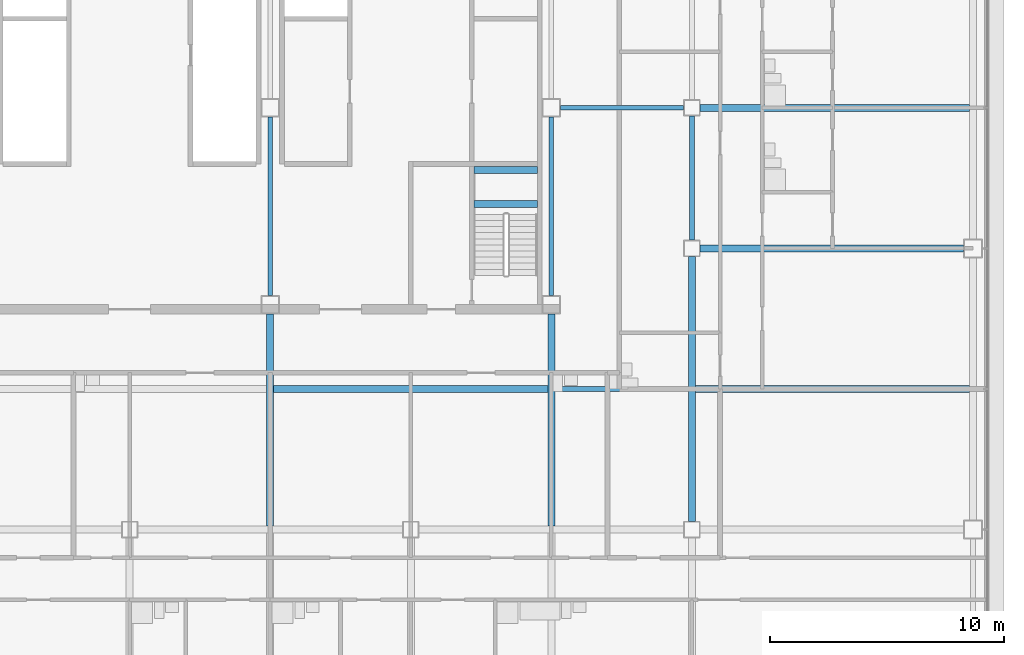
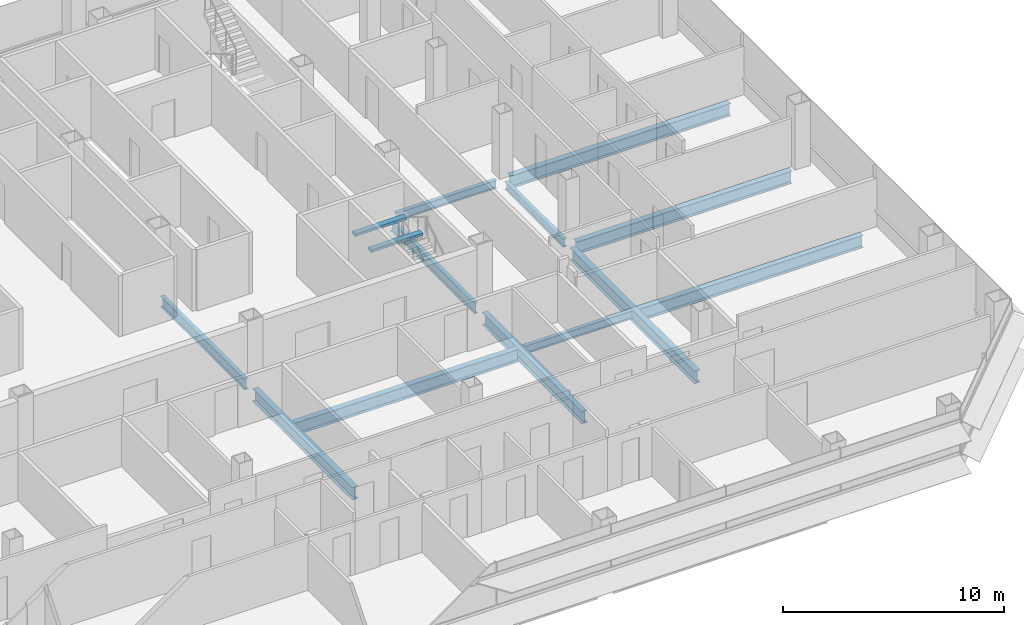
# One storey, part 10 of 26: 14 beams.
"""IFC4 building model written with IfcOpenShell, lengths in metres."""

from ifc_helpers import new_model, si_unit, direction, frame, origin, origin_2d, place, context, subcontext, project, spatial, rectangle, i_section, extrude, material, material_profile, profile_set, type_object, element, save


model = new_model("IFC4")

# Units and contexts
model_context = context("Model", 3, precision=1e-05, world=origin(), true_north=direction((0.0, 1.0)))
body_context = subcontext(model_context, "Body", "Model", "MODEL_VIEW")
ifc_project = project(units=[si_unit("LENGTHUNIT", "METRE"), si_unit("AREAUNIT", "SQUARE_METRE"), si_unit("VOLUMEUNIT", "CUBIC_METRE"), si_unit("PLANEANGLEUNIT", "RADIAN"), si_unit("MASSUNIT", "GRAM", prefix="KILO")], contexts=[model_context])

# Site, building, storey
site_placement = place(None, origin())
site = spatial("IfcSite", under=ifc_project, at=site_placement, CompositionType="ELEMENT")
building_placement = place(site_placement, origin())
building = spatial("IfcBuilding", under=site, at=building_placement, Name="Sorahane Residences", CompositionType="ELEMENT")
storey_placement = place(building_placement, frame((0.0, 0.0, 110.60009765625)))
storey = spatial("IfcBuildingStorey", under=building, at=storey_placement, Name="L24", CompositionType="ELEMENT", Elevation=110.60009765625)

# Beams
ifc_material_1 = material(Name="Concrete C40", Category="concrete")
ifc_material_profile_1 = material_profile(ifc_material_1, rectangle(XDim=0.300048828125, YDim=0.139892578125, at=origin_2d()), Name="300x140")
ifc_profile_set_1 = profile_set([ifc_material_profile_1], Name="Concrete C40")
beam_type_1 = type_object("IfcBeamType", Name="RC landing beam 300 x 140 Concrete C40", PredefinedType="BEAM", material=ifc_profile_set_1)
for number, where, z_axis, x_axis, name in (
    (1, (38.699951171875, 25.89990234375, 1.52978515625), (1.0, 0.0, 0.0), (0.0, 1.0, 0.0), "Landing beam"),
    (2, (38.699951171875, 27.35009765625, 1.52978515625), (1.0, 0.0, 0.0), (0.0, 1.0, 0.0), "Landing beam"),
):
    element("IfcBeam", number, at=place(storey_placement, frame(where, z_axis=z_axis, x_axis=x_axis)), inside=storey, type_object=beam_type_1, Name=name, PredefinedType="BEAM", context=body_context, shape_type="SweptSolid", body=[
        extrude(rectangle(XDim=0.300048828125, YDim=0.139892578125, at=origin_2d()), origin(), (0.0, 0.0, 1.0), 2.699951171875),
    ])
ifc_material_2 = material(Name="Steel Q355B", Category="steel")
ifc_material_profile_2 = material_profile(ifc_material_2, i_section(OverallWidth=0.199951171875, OverallDepth=0.449951171875, WebThickness=0.009033203125, FlangeThickness=0.013916015625, FilletRadius=0.02001953125, at=origin_2d()), Name="HN 450x200x9x14")
ifc_profile_set_2 = profile_set([ifc_material_profile_2], Name="Steel Q355B")
beam_type_2 = type_object("IfcBeamType", Name="Steel floor beam HN 450x200x9x14 Q355B", PredefinedType="BEAM", material=ifc_profile_set_2)
beam_1_placement = place(storey_placement, frame((48.0, 24.35009765625, -0.405029296875), z_axis=(0.0, 1.0, 0.0), x_axis=(-1.0, 0.0, 0.0)))
element("IfcBeam", 3, at=beam_1_placement, inside=storey, type_object=beam_type_2, Name="Beam L24 060", PredefinedType="BEAM", context=body_context, shape_type="SweptSolid", body=[
    extrude(i_section(OverallWidth=0.199951171875, OverallDepth=0.449951171875, WebThickness=0.009033203125, FlangeThickness=0.013916015625, FilletRadius=0.02001953125, at=origin_2d()), origin(), (0.0, 0.0, 1.0), 5.2998046875),
])
beam_2_placement = place(storey_placement, frame((42.14990234375, 18.0, -0.405029296875), z_axis=(1.0, 0.0, 0.0), x_axis=(0.0, 1.0, 0.0)))
element("IfcBeam", 4, at=beam_2_placement, inside=storey, type_object=beam_type_2, Name="Beam L24 083", PredefinedType="BEAM", context=body_context, shape_type="SweptSolid", body=[
    extrude(i_section(OverallWidth=0.199951171875, OverallDepth=0.449951171875, WebThickness=0.009033203125, FlangeThickness=0.013916015625, FilletRadius=0.02001953125, at=origin_2d()), origin(), (0.0, 0.0, 1.0), 5.7001953125),
])
beam_3_placement = place(storey_placement, frame((42.39990234375, 30.0, -0.405029296875), z_axis=(1.0, 0.0, 0.0), x_axis=(0.0, 1.0, 0.0)))
element("IfcBeam", 5, at=beam_3_placement, inside=storey, type_object=beam_type_2, Name="Beam L24 087", PredefinedType="BEAM", context=body_context, shape_type="SweptSolid", body=[
    extrude(i_section(OverallWidth=0.199951171875, OverallDepth=0.449951171875, WebThickness=0.009033203125, FlangeThickness=0.013916015625, FilletRadius=0.02001953125, at=origin_2d()), origin(), (0.0, 0.0, 1.0), 5.25),
])
ifc_material_3 = material(Name="Steel Q355B", Category="steel")
ifc_material_profile_3 = material_profile(ifc_material_3, i_section(OverallWidth=0.199951171875, OverallDepth=0.60009765625, WebThickness=0.010986328125, FlangeThickness=0.01708984375, FilletRadius=0.02392578125, at=origin_2d()), Name="HN 600x200x11x17")
ifc_profile_set_3 = profile_set([ifc_material_profile_3], Name="Steel Q355B")
beam_type_3 = type_object("IfcBeamType", Name="Steel floor beam HN 600x200x11x17 Q355B", PredefinedType="BEAM", material=ifc_profile_set_3)
for number, where, z_axis, x_axis, name in (
    (6, (30.0, 22.0, -0.47998046875), (0.0, 1.0, 0.0), (-1.0, 0.0, 0.0), "Beam L24 046"),
    (7, (42.0, 22.0, -0.47998046875), (0.0, 1.0, 0.0), (-1.0, 0.0, 0.0), "Beam L24 054"),
):
    element("IfcBeam", number, at=place(storey_placement, frame(where, z_axis=z_axis, x_axis=x_axis)), inside=storey, type_object=beam_type_3, Name=name, PredefinedType="BEAM", context=body_context, shape_type="SweptSolid", body=[
        extrude(i_section(OverallWidth=0.199951171875, OverallDepth=0.60009765625, WebThickness=0.010986328125, FlangeThickness=0.01708984375, FilletRadius=0.02392578125, at=origin_2d()), origin(), (0.0, 0.0, 1.0), 7.60009765625),
    ])
ifc_material_4 = material(Name="Steel Q355B", Category="steel")
ifc_material_profile_4 = material_profile(ifc_material_4, i_section(OverallWidth=0.300048828125, OverallDepth=0.699951171875, WebThickness=0.012939453125, FlangeThickness=0.02392578125, FilletRadius=0.028076171875, at=origin_2d()), Name="HN 700x300x13x24")
ifc_profile_set_4 = profile_set([ifc_material_profile_4], Name="Steel Q355B")
beam_type_4 = type_object("IfcBeamType", Name="Steel floor beam HN 700x300x13x24 Q355B", PredefinedType="BEAM", material=ifc_profile_set_4)
beam_4_placement = place(storey_placement, frame((48.35009765625, 24.0, -0.530029296875), z_axis=(1.0, 0.0, 0.0), x_axis=(0.0, 1.0, 0.0)))
element("IfcBeam", 8, at=beam_4_placement, inside=storey, type_object=beam_type_4, Name="Beam L24 012", PredefinedType="BEAM", context=body_context, shape_type="SweptSolid", body=[
    extrude(i_section(OverallWidth=0.300048828125, OverallDepth=0.699951171875, WebThickness=0.012939453125, FlangeThickness=0.02392578125, FilletRadius=0.028076171875, at=origin_2d()), origin(), (0.0, 0.0, 1.0), 11.25),
])
for number, where, z_axis, x_axis, name in (
    (9, (30.0, 12.14990234375, -0.530029296875), (0.0, 1.0, 0.0), (-1.0, 0.0, 0.0), "Beam L24 045"),
    (10, (42.0, 12.14990234375, -0.530029296875), (0.0, 1.0, 0.0), (-1.0, 0.0, 0.0), "Beam L24 053"),
):
    element("IfcBeam", number, at=place(storey_placement, frame(where, z_axis=z_axis, x_axis=x_axis)), inside=storey, type_object=beam_type_4, Name=name, PredefinedType="BEAM", context=body_context, shape_type="SweptSolid", body=[
        extrude(i_section(OverallWidth=0.300048828125, OverallDepth=0.699951171875, WebThickness=0.012939453125, FlangeThickness=0.02392578125, FilletRadius=0.028076171875, at=origin_2d()), origin(), (0.0, 0.0, 1.0), 9.050048828125),
    ])
beam_5_placement = place(storey_placement, frame((48.0, 12.35009765625, -0.530029296875), z_axis=(0.0, 1.0, 0.0), x_axis=(-1.0, 0.0, 0.0)))
element("IfcBeam", 11, at=beam_5_placement, inside=storey, type_object=beam_type_4, Name="Beam L24 059", PredefinedType="BEAM", context=body_context, shape_type="SweptSolid", body=[
    extrude(i_section(OverallWidth=0.300048828125, OverallDepth=0.699951171875, WebThickness=0.012939453125, FlangeThickness=0.02392578125, FilletRadius=0.028076171875, at=origin_2d()), origin(), (0.0, 0.0, 1.0), 11.2998046875),
])
for number, where, z_axis, x_axis, name in (
    (12, (30.14990234375, 18.0, -0.530029296875), (1.0, 0.0, 0.0), (0.0, 1.0, 0.0), "Beam L24 082"),
    (13, (48.14990234375, 18.0, -0.530029296875), (1.0, 0.0, 0.0), (0.0, 1.0, 0.0), "Beam L24 084"),
):
    element("IfcBeam", number, at=place(storey_placement, frame(where, z_axis=z_axis, x_axis=x_axis)), inside=storey, type_object=beam_type_4, Name=name, PredefinedType="BEAM", context=body_context, shape_type="SweptSolid", body=[
        extrude(i_section(OverallWidth=0.300048828125, OverallDepth=0.699951171875, WebThickness=0.012939453125, FlangeThickness=0.02392578125, FilletRadius=0.028076171875, at=origin_2d()), origin(), (0.0, 0.0, 1.0), 11.7001953125),
    ])
beam_6_placement = place(storey_placement, frame((48.35009765625, 30.0, -0.530029296875), z_axis=(1.0, 0.0, 0.0), x_axis=(0.0, 1.0, 0.0)))
element("IfcBeam", 14, at=beam_6_placement, inside=storey, type_object=beam_type_4, Name="Beam L24 088", PredefinedType="BEAM", context=body_context, shape_type="SweptSolid", body=[
    extrude(i_section(OverallWidth=0.300048828125, OverallDepth=0.699951171875, WebThickness=0.012939453125, FlangeThickness=0.02392578125, FilletRadius=0.028076171875, at=origin_2d()), origin(), (0.0, 0.0, 1.0), 11.5),
])

save(model, "model.ifc")
